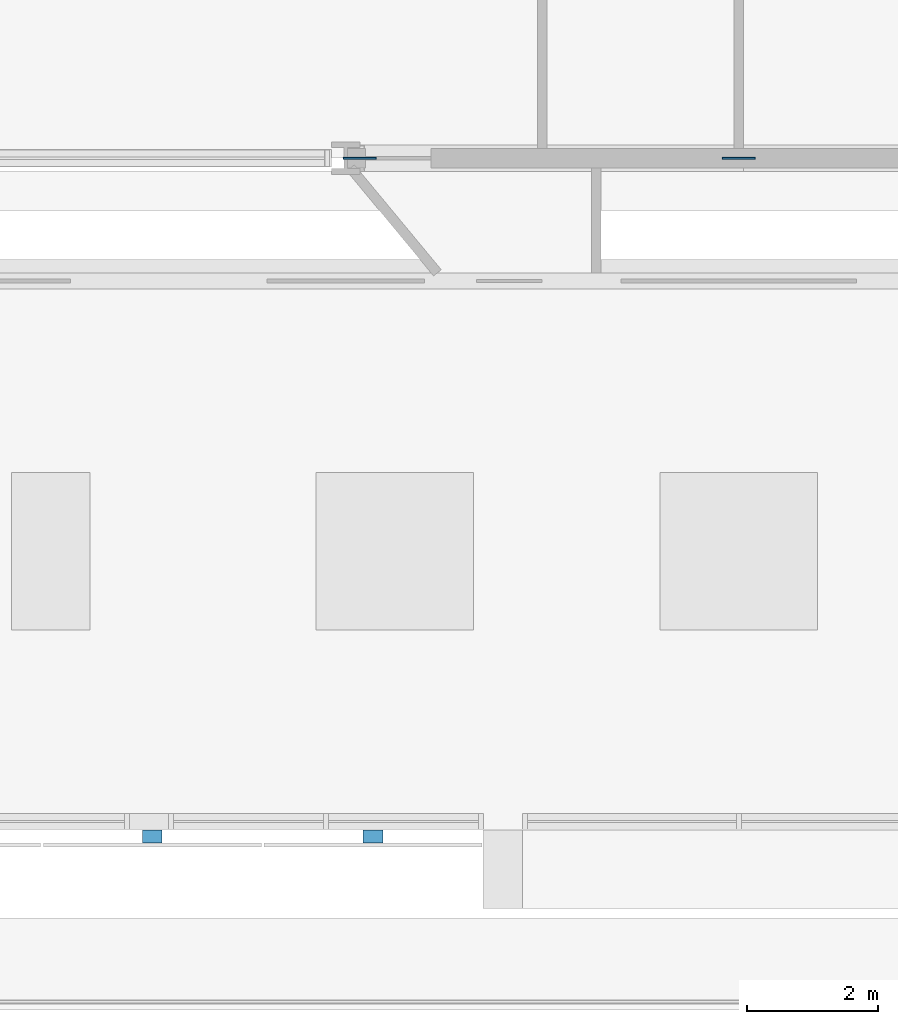
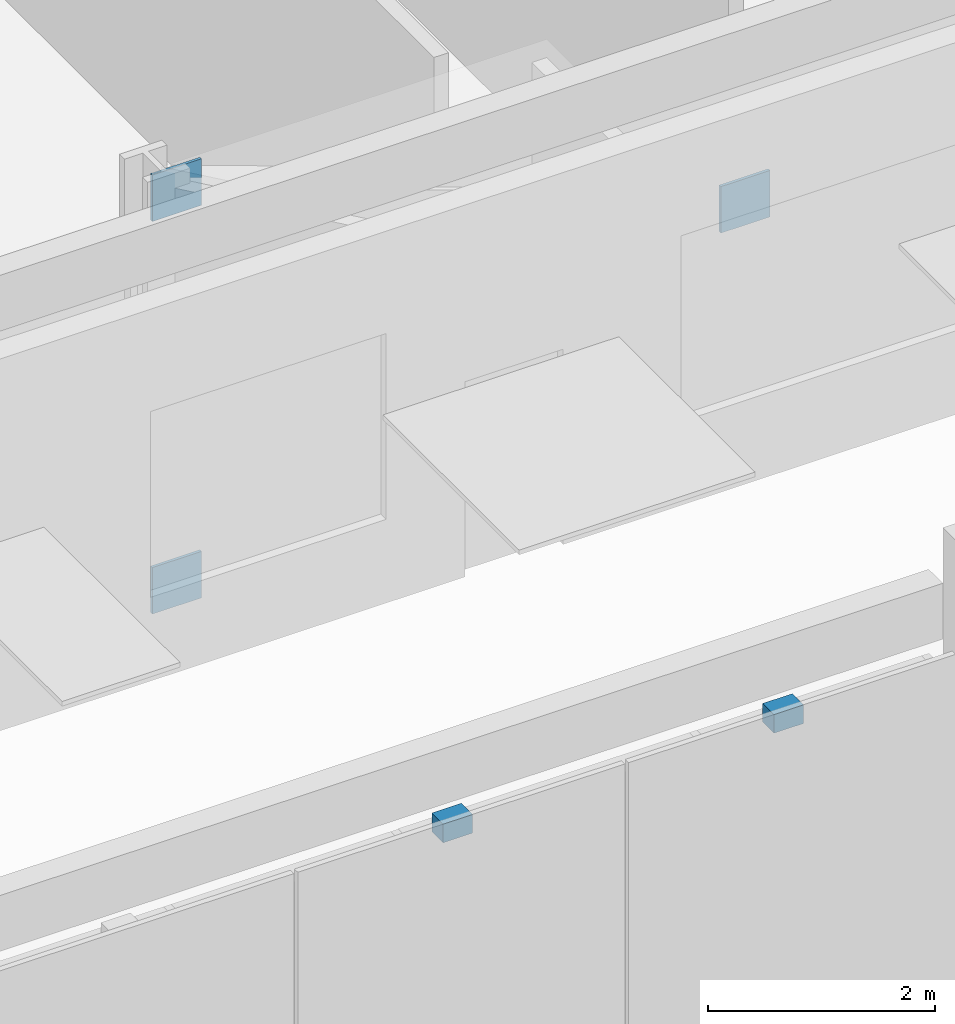
# One storey, part 21 of 39: 5 discrete accessories.
"""IFC4 building model written with IfcOpenShell, lengths in metres."""

import ifcopenshell
import ifcopenshell.guid

model = None  # the IFC model being written
_history = None  # IfcOwnerHistory: only IFC2X3 demands one
_inside = {}  # id of a spatial element -> (the spatial element, [elements in it])
_under = {}  # id of a project, library or spatial element -> (it, [spatial elements below it])
_declared = {}  # id of a project -> (the project, [libraries it declares])
_typed = {}  # id of a type object -> (the type object, [elements of that type])
_made_of = {}  # id of a material, layer set ... -> (it, [elements and type objects made of it])


def new_model(schema):
    """Start an empty IFC model of exactly this schema.

    Asked for "IFC4X3", IfcOpenShell would pick the latest addendum, in which some entities
    have other attributes; the version numbers below select the first issue.
    IFC2X3 requires an IfcOwnerHistory on every rooted entity: one is made here for all.
    """
    global model, _history
    if schema == "IFC4X3":
        model = ifcopenshell.file(schema_version=(4, 3, 0, 0))
    else:
        model = ifcopenshell.file(schema=schema)
    _inside.clear()
    _under.clear()
    _declared.clear()
    _typed.clear()
    _made_of.clear()
    _history = None
    if model.schema == "IFC2X3":
        org = make("IfcOrganization", Name="unknown")
        user = make(
            "IfcPersonAndOrganization",
            ThePerson=make("IfcPerson", FamilyName="unknown"),
            TheOrganization=org,
        )
        app = make(
            "IfcApplication",
            ApplicationDeveloper=org,
            Version="unknown",
            ApplicationFullName="unknown",
            ApplicationIdentifier="unknown",
        )
        _history = make(
            "IfcOwnerHistory",
            OwningUser=user,
            OwningApplication=app,
            ChangeAction="ADDED",
            CreationDate=0,
        )
    return model


def make(cls, **values):
    """One entity of the class cls with the attributes given. An attribute that is None is left unset."""
    return model.create_entity(
        cls, **{name: value for name, value in values.items() if value is not None}
    )


def rooted(cls, **values):
    """An entity with a GlobalId (a new one), such as an element, a storey or a relation."""
    return make(cls, GlobalId=ifcopenshell.guid.new(), OwnerHistory=_history, **values)


def si_unit(unit_type, name, prefix=None):
    """IfcSIUnit, for example si_unit("LENGTHUNIT", "METRE", prefix="MILLI")."""
    return make("IfcSIUnit", UnitType=unit_type, Prefix=prefix, Name=name)


def assignment(units):
    """IfcUnitAssignment: the units of a project."""
    return None if units is None else make("IfcUnitAssignment", Units=units)


def point(xyz):
    """IfcCartesianPoint."""
    return None if xyz is None else make("IfcCartesianPoint", Coordinates=xyz)


def direction(xyz):
    """IfcDirection."""
    return None if xyz is None else make("IfcDirection", DirectionRatios=xyz)


def frame(location, z_axis=None, x_axis=None):
    """IfcAxis2Placement3D, a coordinate frame: its origin and axes. An axis left out is left unset."""
    return make(
        "IfcAxis2Placement3D",
        Location=point(location),
        Axis=direction(z_axis),
        RefDirection=direction(x_axis),
    )


def frame_2d(location, x_axis=None):
    """IfcAxis2Placement2D, a coordinate frame in the plane: its origin and x axis."""
    return make(
        "IfcAxis2Placement2D", Location=point(location), RefDirection=direction(x_axis)
    )


def origin():
    """The frame at (0, 0, 0) with its axes left unset."""
    return frame((0.0, 0.0, 0.0))


def origin_2d():
    """The frame at (0, 0) in the plane with its x axis left unset."""
    return frame_2d((0.0, 0.0))


def place(relative_to, where):
    """IfcLocalPlacement: puts the frame where relative to a parent placement (None: the world)."""
    return make(
        "IfcLocalPlacement", PlacementRelTo=relative_to, RelativePlacement=where
    )


def context(
    kind, dimensions, precision=None, world=None, true_north=None, identifier=None
):
    """IfcGeometricRepresentationContext, for example the 3D "Model" context."""
    return make(
        "IfcGeometricRepresentationContext",
        ContextIdentifier=identifier,
        ContextType=kind,
        CoordinateSpaceDimension=dimensions,
        Precision=precision,
        WorldCoordinateSystem=world,
        TrueNorth=true_north,
    )


def subcontext(parent, identifier, kind, view, scale=None):
    """IfcGeometricRepresentationSubContext, for example "Body" below "Model"."""
    return make(
        "IfcGeometricRepresentationSubContext",
        ContextIdentifier=identifier,
        ContextType=kind,
        ParentContext=parent,
        TargetScale=scale,
        TargetView=view,
    )


def project(units=None, contexts=None):
    """IfcProject with its units and contexts."""
    return rooted(
        "IfcProject",
        Name="project",
        RepresentationContexts=contexts,
        UnitsInContext=assignment(units),
    )


def spatial(cls, under=None, at=None, **own):
    """A site, building, storey or space (cls), placed at a placement, below another one or the project."""
    s = rooted(cls, ObjectPlacement=at, **own)
    if under is not None:
        _under.setdefault(under.id(), (under, []))[1].append(s)
    return s


def profile(cls, at=None, kind="AREA", **sizes):
    """A parametric profile (cls). Its sizes go by their IFC names, for example OverallWidth=200.0."""
    return make(cls, ProfileType=kind, Position=at, **sizes)


def rectangle(**sizes):
    """IfcRectangleProfileDef."""
    return profile("IfcRectangleProfileDef", **sizes)


def extrude(swept, where, along, depth):
    """IfcExtrudedAreaSolid: the profile swept, set in the frame where, extruded along a direction by depth."""
    return make(
        "IfcExtrudedAreaSolid",
        SweptArea=swept,
        Position=where,
        ExtrudedDirection=direction(along),
        Depth=depth,
    )


def shape(context_of_items, identifier, shape_type, items):
    """IfcShapeRepresentation: the items that make up one representation, for example the "Body"."""
    return make(
        "IfcShapeRepresentation",
        ContextOfItems=context_of_items,
        RepresentationIdentifier=identifier,
        RepresentationType=shape_type,
        Items=items,
    )


def material(Name=None, Category=None):
    """IfcMaterial."""
    return make("IfcMaterial", Name=Name, Category=Category)


def layer(
    of_material, thickness, ventilated=None, Name=None, Category=None, Priority=None
):
    """IfcMaterialLayer: one layer of a wall or slab, of a material (None: an air gap)."""
    return make(
        "IfcMaterialLayer",
        Material=of_material,
        LayerThickness=thickness,
        IsVentilated=ventilated,
        Name=Name,
        Category=Category,
        Priority=Priority,
    )


def layer_set(layers, Name=None):
    """IfcMaterialLayerSet."""
    return make("IfcMaterialLayerSet", MaterialLayers=layers, LayerSetName=Name)


def made_of(thing, what):
    """Note that an element or type object is made of a material, layer set ...; save() writes the relation."""
    if what is not None:
        _made_of.setdefault(what.id(), (what, []))[1].append(thing)
    return thing


def type_object(cls, material=None, **own):
    """A type object (cls), such as IfcWallType, which elements share."""
    return made_of(rooted(cls, **own), material)


def element(
    cls,
    number,
    at=None,
    inside=None,
    cuts=None,
    type_object=None,
    material=None,
    context=None,
    identifier="Body",
    shape_type=None,
    held_by="IfcProductDefinitionShape",
    body=None,
    shapes=None,
    **own,
):
    """One element of the class cls, such as IfcWall. Its Tag is "e" and its number.

    at: its placement. inside: the storey or other place that contains it. cuts: it is an
    opening in that element (IfcRelVoidsElement). A single representation is given by context,
    identifier, shape_type and body (its items); several are given by shapes. held_by: the class
    of the entity that holds the representations. save() writes the other relations.
    """
    e = rooted(cls, Tag="e%d" % number, ObjectPlacement=at, **own)
    if body is not None:
        shapes = [shape(context, identifier, shape_type, body)]
    if shapes is not None:
        e.Representation = make(held_by, Representations=shapes)
    if inside is not None:
        _inside.setdefault(inside.id(), (inside, []))[1].append(e)
    if cuts is not None:
        rooted(
            "IfcRelVoidsElement", RelatingBuildingElement=cuts, RelatedOpeningElement=e
        )
    if type_object is not None:
        _typed.setdefault(type_object.id(), (type_object, []))[1].append(e)
    return made_of(e, material)


def aggregate(whole, parts):
    """IfcRelAggregates: a whole, such as a stair, and the parts it consists of."""
    return rooted("IfcRelAggregates", RelatingObject=whole, RelatedObjects=parts)


def save(model, path):
    """Write the relations noted so far, then the file.

    IfcRelAggregates (storeys below a building ...), IfcRelContainedInSpatialStructure (elements
    in a storey), IfcRelDefinesByType, IfcRelAssociatesMaterial and IfcRelDeclares: one each for
    every whole, place, type object, material and project.
    """
    for whole, parts in _under.values():
        aggregate(whole, parts)
    for where, things in _inside.values():
        rooted(
            "IfcRelContainedInSpatialStructure",
            RelatedElements=things,
            RelatingStructure=where,
        )
    for kind, things in _typed.values():
        rooted("IfcRelDefinesByType", RelatedObjects=things, RelatingType=kind)
    for what, things in _made_of.values():
        rooted("IfcRelAssociatesMaterial", RelatedObjects=things, RelatingMaterial=what)
    for by, libraries in _declared.values():
        rooted("IfcRelDeclares", RelatingContext=by, RelatedDefinitions=libraries)
    model.write(path)


model = new_model("IFC4")

# Units and contexts
model_context = context("Model", 3, precision=1e-05, world=origin(), true_north=direction((0.0, 1.0)))
body_context = subcontext(model_context, "Body", "Model", "MODEL_VIEW")
ifc_project = project(units=[si_unit("LENGTHUNIT", "METRE"), si_unit("AREAUNIT", "SQUARE_METRE"), si_unit("VOLUMEUNIT", "CUBIC_METRE"), si_unit("PLANEANGLEUNIT", "RADIAN"), si_unit("MASSUNIT", "GRAM", prefix="KILO")], contexts=[model_context])

# Site, building, storey
site_placement = place(None, origin())
site = spatial("IfcSite", under=ifc_project, at=site_placement, CompositionType="ELEMENT")
building_placement = place(site_placement, origin())
building = spatial("IfcBuilding", under=site, at=building_placement, Name="Mahtab Terrace Research Tower", CompositionType="ELEMENT")
storey_placement = place(building_placement, frame((0.0, 0.0, 7.199951171875)))
storey = spatial("IfcBuildingStorey", under=building, at=storey_placement, Name="L01", CompositionType="ELEMENT", Elevation=7.199951171875)

# Discrete accessories
ifc_material_1 = material(Name="Black anodised aluminium", Category="aluminium")
discrete_accessory_type_1 = type_object("IfcDiscreteAccessoryType", Name="Facade bracket", PredefinedType="BRACKET", material=ifc_material_1)
for number, where, z_axis, x_axis, name in (
    (1, (-8.949951171875, -33.35009765625, 4.05029296875), (0.0, 0.0, 1.0), (1.0, 0.0, 0.0), "Screen bracket 2"),
    (2, (-5.583251953125, -33.35009765625, 4.05029296875), (0.0, 0.0, 1.0), (1.0, 0.0, 0.0), "Screen bracket 3"),
):
    element("IfcDiscreteAccessory", number, at=place(storey_placement, frame(where, z_axis=z_axis, x_axis=x_axis)), inside=storey, type_object=discrete_accessory_type_1, Name=name, PredefinedType="BRACKET", context=body_context, shape_type="SweptSolid", body=[
        extrude(rectangle(XDim=0.300048828125, YDim=0.199951171875, at=origin_2d()), origin(), (0.0, 0.0, 1.0), 0.199951171875),
    ])
ifc_material_2 = material(Name="Steel ASTM A992 Gr 50", Category="steel")
ifc_layer = layer(ifc_material_2, 0.030029296875)
ifc_layer_set = layer_set([ifc_layer], Name="Gusset plate 500x500x30")
discrete_accessory_type_2 = type_object("IfcDiscreteAccessoryType", Name="Gusset plate 500x500x30", PredefinedType="USERDEFINED", material=ifc_layer_set)
for number, where, z_axis, x_axis, name in (
    (3, (-5.7841796875, -23.0, -0.89111328125), (0.0, 0.0, 1.0), (1.0, 0.0, 0.0), "Gusset plate"),
    (4, (-5.7841796875, -23.0, 3.33154296875), (0.0, 0.0, 1.0), (1.0, 0.0, 0.0), "Gusset plate"),
    (5, (0.0, -23.0, 1.181640625), (0.0, 0.0, 1.0), (1.0, 0.0, 0.0), "Gusset plate"),
):
    element("IfcDiscreteAccessory", number, at=place(storey_placement, frame(where, z_axis=z_axis, x_axis=x_axis)), inside=storey, type_object=discrete_accessory_type_2, Name=name, ObjectType="GUSSET PLATE", PredefinedType="USERDEFINED", context=body_context, shape_type="SweptSolid", body=[
        extrude(rectangle(XDim=0.5, YDim=0.030029296875, at=origin_2d()), origin(), (0.0, 0.0, 1.0), 0.5),
    ])

save(model, "model.ifc")
